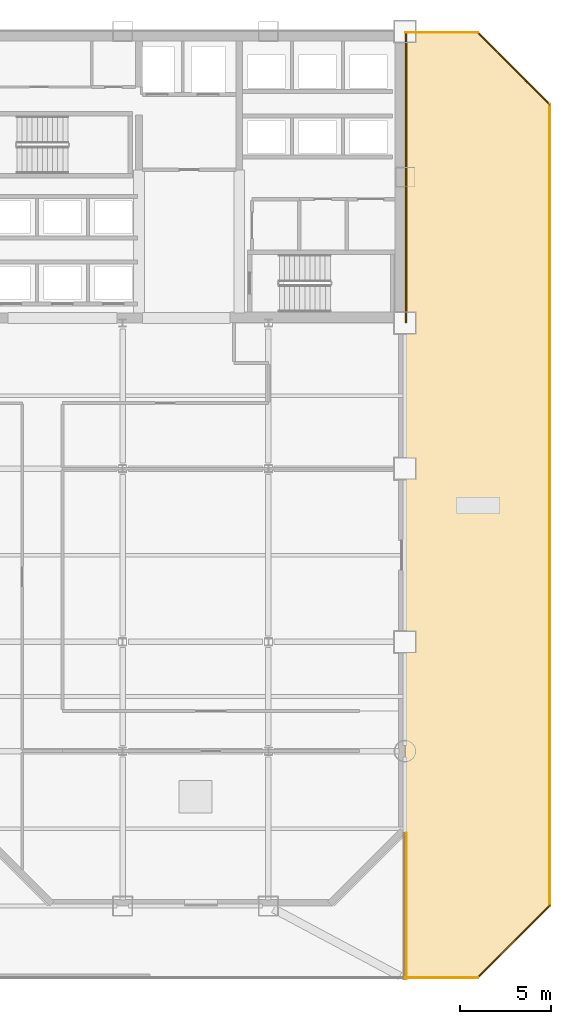
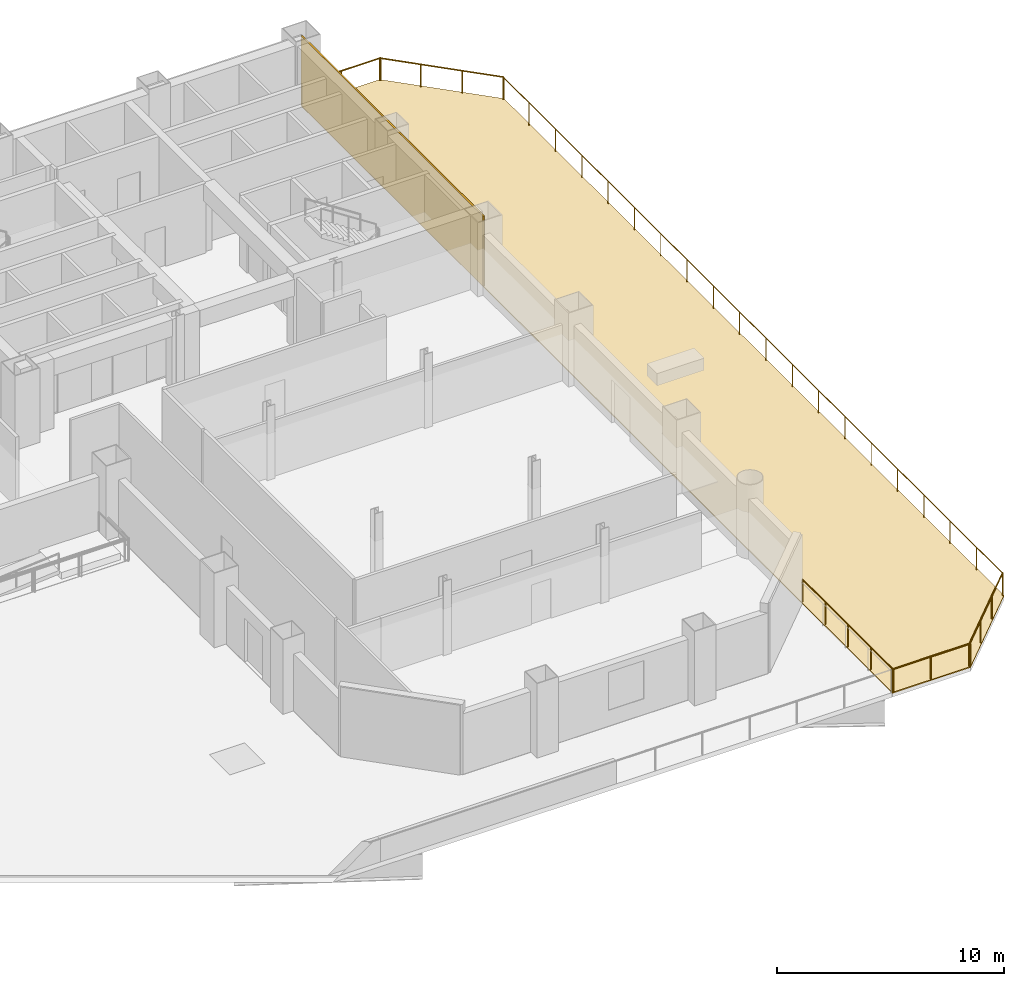
# One storey, part 11 of 11: 6 railings, 2 coverings.
"""IFC4 building model written with IfcOpenShell, lengths in metres."""

from ifc_helpers import new_model, si_unit, direction, frame, origin, origin_2d, place, context, subcontext, project, spatial, polyline, rectangle, circle, outline, extrude, material, layer, layer_set, type_object, element, save


model = new_model("IFC4")

# Units and contexts
model_context = context("Model", 3, precision=1e-05, world=origin(), true_north=direction((0.0, 1.0)))
body_context = subcontext(model_context, "Body", "Model", "MODEL_VIEW")
ifc_project = project(units=[si_unit("LENGTHUNIT", "METRE"), si_unit("AREAUNIT", "SQUARE_METRE"), si_unit("VOLUMEUNIT", "CUBIC_METRE"), si_unit("PLANEANGLEUNIT", "RADIAN"), si_unit("MASSUNIT", "GRAM", prefix="KILO")], contexts=[model_context])

# Site, building, storey
site_placement = place(None, origin())
site = spatial("IfcSite", under=ifc_project, at=site_placement, CompositionType="ELEMENT")
building_placement = place(site_placement, origin())
building = spatial("IfcBuilding", under=site, at=building_placement, Name="Qianrong Seaharbour Tower", CompositionType="ELEMENT")
storey_placement = place(building_placement, frame((0.0, 0.0, 28.199951171875)))
storey = spatial("IfcBuildingStorey", under=building, at=storey_placement, Name="L06", CompositionType="ELEMENT", Elevation=28.199951171875)

# Coverings
ifc_material_1 = material(Name="Unitised red brick cladding on Precast concrete C45/55", Category="masonry")
ifc_layer_1 = layer(ifc_material_1, 0.080078125)
ifc_layer_set_1 = layer_set([ifc_layer_1], Name="Unitised red brick cladding on Precast concrete C45/55")
covering_type_1 = type_object("IfcCoveringType", Name="COV-CLAD-RED-BRICK-80", PredefinedType="CLADDING", material=ifc_layer_set_1)
covering_1_placement = place(storey_placement, frame((64.0400390625, 44.0, 0.0), z_axis=(0.0, 0.0, 1.0), x_axis=(1.0, 0.0, 0.0)))
element("IfcCovering", 1, at=covering_1_placement, inside=storey, type_object=covering_type_1, Name="L06 East Core Brick Veneer Cladding", PredefinedType="CLADDING", context=body_context, shape_type="SweptSolid", body=[
    extrude(rectangle(XDim=0.080078125, YDim=16.0, at=origin_2d()), origin(), (0.0, 0.0, 1.0), 3.75),
])
ifc_material_2 = material(Name="Elastomeric waterproofing membrane and extruded polystyrene insulation")
ifc_layer_2 = layer(ifc_material_2, 0.06005859375)
ifc_layer_set_2 = layer_set([ifc_layer_2], Name="Elastomeric waterproofing membrane and extruded polystyrene insulation")
covering_type_2 = type_object("IfcCoveringType", Name="COV-ROOF-MEMBRANE-60", PredefinedType="ROOFING", material=ifc_layer_set_2)
covering_2_placement = place(storey_placement, frame((0.0, 0.0, -0.06005859375)))
element("IfcCovering", 2, at=covering_2_placement, inside=storey, type_object=covering_type_2, Name="L06 Sky Garden Waterproofing Membrane 2", PredefinedType="ROOFING", context=body_context, shape_type="SweptSolid", body=[
    extrude(outline(polyline([(72.0, 4.0), (68.0, 0.0), (64.02001953125, 0.0), (64.02001953125, 8.0), (64.02001953125, 52.0), (68.0, 52.0), (72.0, 48.0), (72.0, 4.0)])), origin(), (0.0, 0.0, 1.0), 0.06005859375),
])

# Railings
ifc_material_3 = material(Name="Stainless steel SUS316L and laminated safety glass balustrade", Category="steel")
railing_type = type_object("IfcRailingType", Name="RAIL-TERRACE-GUARD-1220", PredefinedType="GUARDRAIL", material=ifc_material_3)
railing_1_placement = place(storey_placement, frame((71.95751953125, 4.04248046875, 0.0)))
element("IfcRailing", 3, at=railing_1_placement, inside=storey, type_object=railing_type, Name="L06 Sky Garden Perimeter Guardrail P2.1", PredefinedType="GUARDRAIL", context=body_context, shape_type="SweptSolid", body=[
    extrude(circle(Radius=0.02392578125, at=origin_2d()), frame((0.0, 0.0, 1.19580078125), z_axis=(-0.707106781187, -0.707106781187, 0.0), x_axis=(0.707106781187, -0.707106781187, 0.0)), (0.0, 0.0, 1.0), 5.65673828125),
    extrude(circle(Radius=0.02099609375, at=origin_2d()), origin(), (0.0, 0.0, 1.0), 1.171875),
    extrude(circle(Radius=0.02099609375, at=origin_2d()), frame((-1.333251953125, -1.333251953125, 0.0)), (0.0, 0.0, 1.0), 1.171875),
    extrude(circle(Radius=0.02099609375, at=origin_2d()), frame((-2.666748046875, -2.666748046875, 0.0)), (0.0, 0.0, 1.0), 1.171875),
    extrude(circle(Radius=0.02099609375, at=origin_2d()), frame((-4.0, -4.0, 0.0)), (0.0, 0.0, 1.0), 1.171875),
])
railing_2_placement = place(storey_placement, frame((68.0, 0.06005859375, 0.0)))
element("IfcRailing", 4, at=railing_2_placement, inside=storey, type_object=railing_type, Name="L06 Sky Garden Perimeter Guardrail P2.2", PredefinedType="GUARDRAIL", context=body_context, shape_type="SweptSolid", body=[
    extrude(circle(Radius=0.02392578125, at=origin_2d()), frame((0.0, 0.0, 1.19580078125), z_axis=(-1.0, 0.0, 0.0), x_axis=(0.0, -1.0, 0.0)), (0.0, 0.0, 1.0), 3.97998046875),
    extrude(circle(Radius=0.02099609375, at=origin_2d()), origin(), (0.0, 0.0, 1.0), 1.171875),
    extrude(circle(Radius=0.02099609375, at=origin_2d()), frame((-1.989990234375, 0.0, 0.0)), (0.0, 0.0, 1.0), 1.171875),
    extrude(circle(Radius=0.02099609375, at=origin_2d()), frame((-3.97998046875, 0.0, 0.0)), (0.0, 0.0, 1.0), 1.171875),
])
railing_3_placement = place(storey_placement, frame((64.080078125, 0.0, 0.0)))
element("IfcRailing", 5, at=railing_3_placement, inside=storey, type_object=railing_type, Name="L06 Sky Garden Perimeter Guardrail P2.3", PredefinedType="GUARDRAIL", context=body_context, shape_type="SweptSolid", body=[
    extrude(circle(Radius=0.02392578125, at=origin_2d()), frame((0.0, 0.0, 1.19580078125), z_axis=(0.0, 1.0, 0.0), x_axis=(-1.0, 0.0, 0.0)), (0.0, 0.0, 1.0), 8.0),
    extrude(circle(Radius=0.02099609375, at=origin_2d()), origin(), (0.0, 0.0, 1.0), 1.171875),
    extrude(circle(Radius=0.02099609375, at=origin_2d()), frame((0.0, 2.0, 0.0)), (0.0, 0.0, 1.0), 1.171875),
    extrude(circle(Radius=0.02099609375, at=origin_2d()), frame((0.0, 4.0, 0.0)), (0.0, 0.0, 1.0), 1.171875),
    extrude(circle(Radius=0.02099609375, at=origin_2d()), frame((0.0, 6.0, 0.0)), (0.0, 0.0, 1.0), 1.171875),
    extrude(circle(Radius=0.02099609375, at=origin_2d()), frame((0.0, 8.0, 0.0)), (0.0, 0.0, 1.0), 1.171875),
])
railing_4_placement = place(storey_placement, frame((64.02001953125, 51.93994140625, 0.0)))
element("IfcRailing", 6, at=railing_4_placement, inside=storey, type_object=railing_type, Name="L06 Sky Garden Perimeter Guardrail P2.5", PredefinedType="GUARDRAIL", context=body_context, shape_type="SweptSolid", body=[
    extrude(circle(Radius=0.02392578125, at=origin_2d()), frame((0.0, 0.0, 1.19580078125), z_axis=(1.0, 0.0, 0.0), x_axis=(0.0, 1.0, 0.0)), (0.0, 0.0, 1.0), 3.97998046875),
    extrude(circle(Radius=0.02099609375, at=origin_2d()), origin(), (0.0, 0.0, 1.0), 1.171875),
    extrude(circle(Radius=0.02099609375, at=origin_2d()), frame((1.989990234375, 0.0, 0.0)), (0.0, 0.0, 1.0), 1.171875),
    extrude(circle(Radius=0.02099609375, at=origin_2d()), frame((3.97998046875, 0.0, 0.0)), (0.0, 0.0, 1.0), 1.171875),
])
railing_5_placement = place(storey_placement, frame((67.95751953125, 51.95751953125, 0.0)))
element("IfcRailing", 7, at=railing_5_placement, inside=storey, type_object=railing_type, Name="L06 Sky Garden Perimeter Guardrail P2.6", PredefinedType="GUARDRAIL", context=body_context, shape_type="SweptSolid", body=[
    extrude(circle(Radius=0.02392578125, at=origin_2d()), frame((0.0, 0.0, 1.19580078125), z_axis=(0.707106781187, -0.707106781187, 0.0), x_axis=(0.707106781187, 0.707106781187, 0.0)), (0.0, 0.0, 1.0), 5.65673828125),
    extrude(circle(Radius=0.02099609375, at=origin_2d()), origin(), (0.0, 0.0, 1.0), 1.171875),
    extrude(circle(Radius=0.02099609375, at=origin_2d()), frame((1.333251953125, -1.333251953125, 0.0)), (0.0, 0.0, 1.0), 1.171875),
    extrude(circle(Radius=0.02099609375, at=origin_2d()), frame((2.666748046875, -2.666748046875, 0.0)), (0.0, 0.0, 1.0), 1.171875),
    extrude(circle(Radius=0.02099609375, at=origin_2d()), frame((4.0, -4.0, 0.0)), (0.0, 0.0, 1.0), 1.171875),
])
railing_6_placement = place(storey_placement, frame((71.93994140625, 48.0, 0.0)))
element("IfcRailing", 8, at=railing_6_placement, inside=storey, type_object=railing_type, Name="L06 Sky Garden Perimeter Guardrail P2.7", PredefinedType="GUARDRAIL", context=body_context, shape_type="SweptSolid", body=[
    extrude(circle(Radius=0.02392578125, at=origin_2d()), frame((0.0, 0.0, 1.19580078125), z_axis=(0.0, -1.0, 0.0), x_axis=(1.0, 0.0, 0.0)), (0.0, 0.0, 1.0), 44.0),
    extrude(circle(Radius=0.02099609375, at=origin_2d()), origin(), (0.0, 0.0, 1.0), 1.171875),
    extrude(circle(Radius=0.02099609375, at=origin_2d()), frame((0.0, -2.315673828125, 0.0)), (0.0, 0.0, 1.0), 1.171875),
    extrude(circle(Radius=0.02099609375, at=origin_2d()), frame((0.0, -4.631591796875, 0.0)), (0.0, 0.0, 1.0), 1.171875),
    extrude(circle(Radius=0.02099609375, at=origin_2d()), frame((0.0, -6.947265625, 0.0)), (0.0, 0.0, 1.0), 1.171875),
    extrude(circle(Radius=0.02099609375, at=origin_2d()), frame((0.0, -9.26318359375, 0.0)), (0.0, 0.0, 1.0), 1.171875),
    extrude(circle(Radius=0.02099609375, at=origin_2d()), frame((0.0, -11.578857421875, 0.0)), (0.0, 0.0, 1.0), 1.171875),
    extrude(circle(Radius=0.02099609375, at=origin_2d()), frame((0.0, -13.894775390625, 0.0)), (0.0, 0.0, 1.0), 1.171875),
    extrude(circle(Radius=0.02099609375, at=origin_2d()), frame((0.0, -16.21044921875, 0.0)), (0.0, 0.0, 1.0), 1.171875),
    extrude(circle(Radius=0.02099609375, at=origin_2d()), frame((0.0, -18.5263671875, 0.0)), (0.0, 0.0, 1.0), 1.171875),
    extrude(circle(Radius=0.02099609375, at=origin_2d()), frame((0.0, -20.842041015625, 0.0)), (0.0, 0.0, 1.0), 1.171875),
    extrude(circle(Radius=0.02099609375, at=origin_2d()), frame((0.0, -23.157958984375, 0.0)), (0.0, 0.0, 1.0), 1.171875),
    extrude(circle(Radius=0.02099609375, at=origin_2d()), frame((0.0, -25.4736328125, 0.0)), (0.0, 0.0, 1.0), 1.171875),
    extrude(circle(Radius=0.02099609375, at=origin_2d()), frame((0.0, -27.78955078125, 0.0)), (0.0, 0.0, 1.0), 1.171875),
    extrude(circle(Radius=0.02099609375, at=origin_2d()), frame((0.0, -30.105224609375, 0.0)), (0.0, 0.0, 1.0), 1.171875),
    extrude(circle(Radius=0.02099609375, at=origin_2d()), frame((0.0, -32.421142578125, 0.0)), (0.0, 0.0, 1.0), 1.171875),
    extrude(circle(Radius=0.02099609375, at=origin_2d()), frame((0.0, -34.73681640625, 0.0)), (0.0, 0.0, 1.0), 1.171875),
    extrude(circle(Radius=0.02099609375, at=origin_2d()), frame((0.0, -37.052734375, 0.0)), (0.0, 0.0, 1.0), 1.171875),
    extrude(circle(Radius=0.02099609375, at=origin_2d()), frame((0.0, -39.368408203125, 0.0)), (0.0, 0.0, 1.0), 1.171875),
    extrude(circle(Radius=0.02099609375, at=origin_2d()), frame((0.0, -41.684326171875, 0.0)), (0.0, 0.0, 1.0), 1.171875),
    extrude(circle(Radius=0.02099609375, at=origin_2d()), frame((0.0, -44.0, 0.0)), (0.0, 0.0, 1.0), 1.171875),
])

save(model, "model.ifc")
